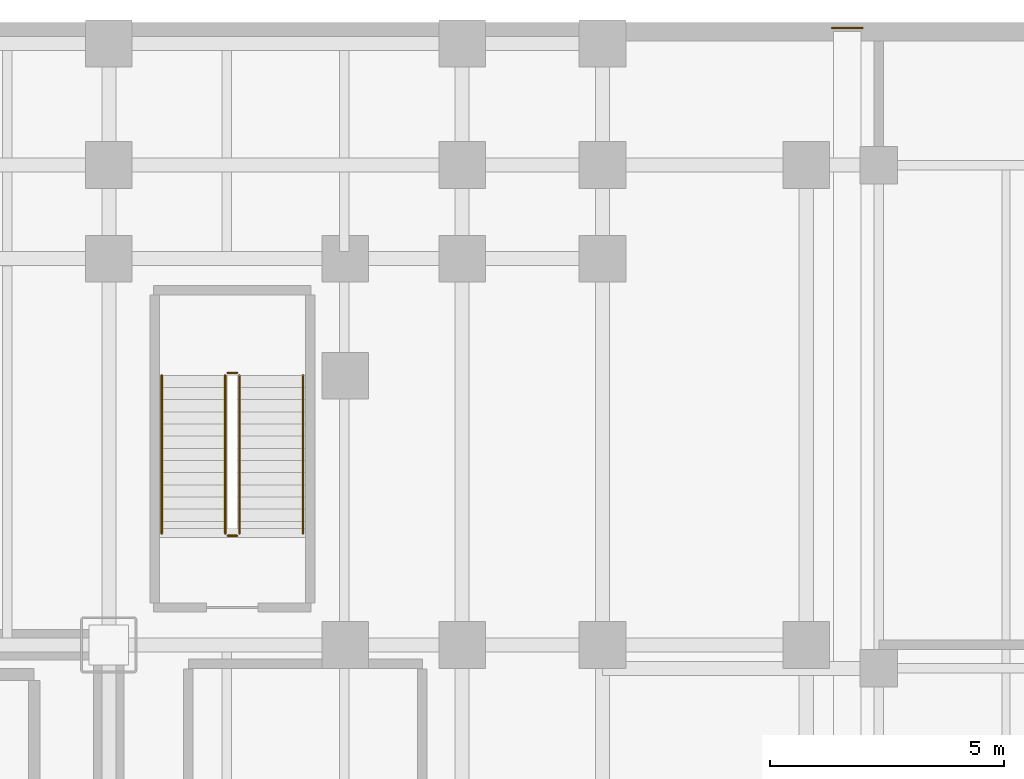
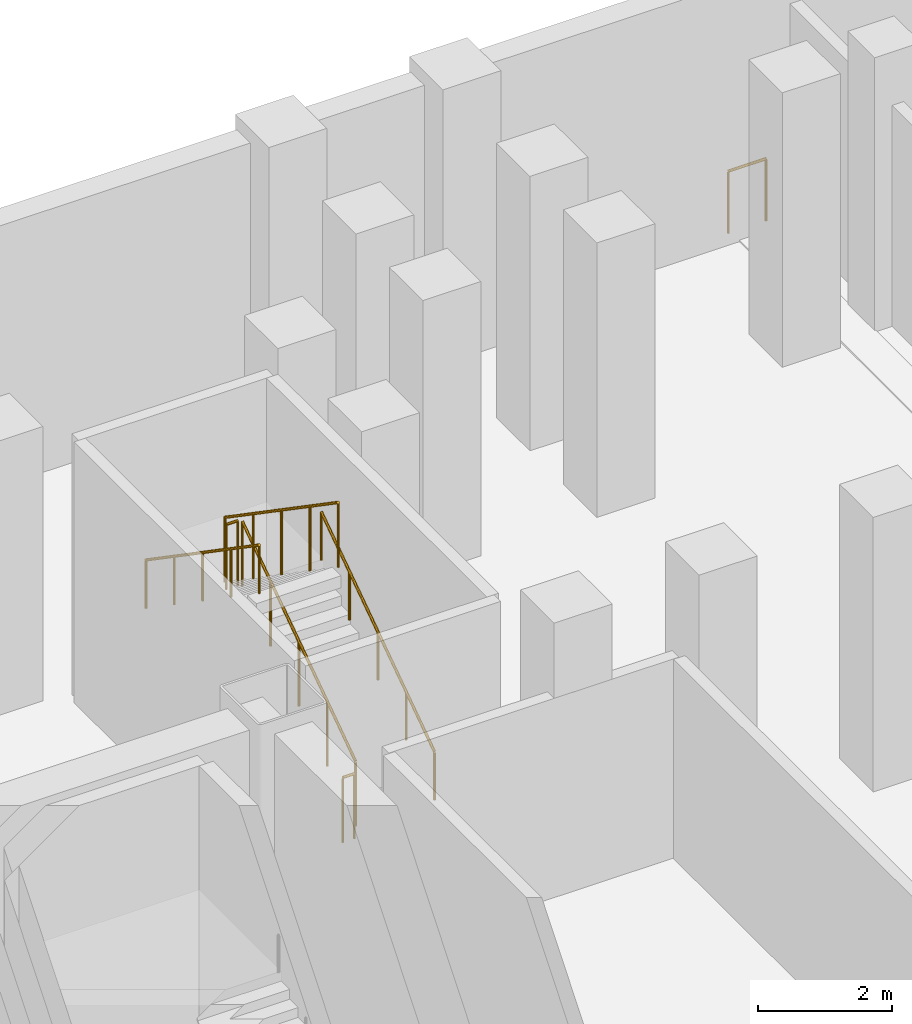
# One storey, part 17 of 18: 7 railings.
"""IFC4 building model written with IfcOpenShell, lengths in metres."""

from ifc_helpers import new_model, si_unit, direction, frame, origin, origin_2d, place, context, subcontext, project, spatial, circle, extrude, material, layer, layer_set, type_object, element, save


model = new_model("IFC4")

# Units and contexts
model_context = context("Model", 3, precision=1e-05, world=origin(), true_north=direction((0.0, 1.0)))
body_context = subcontext(model_context, "Body", "Model", "MODEL_VIEW")
ifc_project = project(units=[si_unit("LENGTHUNIT", "METRE"), si_unit("AREAUNIT", "SQUARE_METRE"), si_unit("VOLUMEUNIT", "CUBIC_METRE"), si_unit("PLANEANGLEUNIT", "RADIAN"), si_unit("MASSUNIT", "GRAM", prefix="KILO")], contexts=[model_context])

# Site, building, storey
site_placement = place(None, origin())
site = spatial("IfcSite", under=ifc_project, at=site_placement, CompositionType="ELEMENT")
building_placement = place(site_placement, origin())
building = spatial("IfcBuilding", under=site, at=building_placement, Name="Noeulbin Bourse Tower", CompositionType="ELEMENT")
storey_placement = place(building_placement, frame((0.0, 0.0, -5.0)))
storey = spatial("IfcBuildingStorey", under=building, at=storey_placement, Name="B01", CompositionType="ELEMENT", Elevation=-5.0)

# Railings
ifc_material_1 = material(Name="Galvanised Tubular Steel S355", Category="steel")
ifc_layer_1 = layer(ifc_material_1, 0.06005859375)
ifc_layer_set_1 = layer_set([ifc_layer_1], Name="Galvanised Tubular Steel S355")
railing_type_1 = type_object("IfcRailingType", Name="RLG-RMP-1100", PredefinedType="GUARDRAIL", material=ifc_layer_set_1)
railing_1_placement = place(storey_placement, frame((59.449951171875, 51.47998046875, 0.0)))
element("IfcRailing", 1, at=railing_1_placement, inside=storey, type_object=railing_type_1, Name="Seismic Joint Edge Guard B01-N", PredefinedType="GUARDRAIL", context=body_context, shape_type="SweptSolid", body=[
    extrude(circle(Radius=0.02392578125, at=origin_2d()), frame((0.0, 0.0, 1.1259765625), z_axis=(1.0, 0.0, 0.0), x_axis=(0.0, 1.0, 0.0)), (0.0, 0.0, 1.0), 0.650146484375),
    extrude(circle(Radius=0.02099609375, at=origin_2d()), origin(), (0.0, 0.0, 1.0), 1.101806640625),
    extrude(circle(Radius=0.02099609375, at=origin_2d()), frame((0.650146484375, 0.0, 0.0)), (0.0, 0.0, 1.0), 1.101806640625),
])
ifc_material_2 = material(Name="Painted Tubular Steel S355", Category="steel")
ifc_layer_2 = layer(ifc_material_2, 0.048095703125)
ifc_layer_set_2 = layer_set([ifc_layer_2], Name="Painted Tubular Steel S355")
railing_type_2 = type_object("IfcRailingType", Name="RLG-STR-GRD", PredefinedType="GUARDRAIL", material=ifc_layer_set_2)
railing_2_placement = place(storey_placement, frame((46.7900390625, 40.679931640625, 0.178466796875)))
element("IfcRailing", 2, at=railing_2_placement, inside=storey, type_object=railing_type_2, Name="B01 ST-S3 stair guard 1", PredefinedType="GUARDRAIL", context=body_context, shape_type="SweptSolid", body=[
    extrude(circle(Radius=0.02392578125, at=origin_2d()), frame((0.0, 0.0, 1.17578125), z_axis=(0.0, 0.824304150675, 0.566147213346), x_axis=(-1.0, 0.0, 0.0)), (0.0, 0.0, 1.0), 4.1005859375),
    extrude(circle(Radius=0.02099609375, at=origin_2d()), origin(), (0.0, 0.0, 1.0), 1.15185546875),
    extrude(circle(Radius=0.02099609375, at=origin_2d()), frame((0.0, 0.844970703125, 0.580322265625)), (0.0, 0.0, 1.0), 1.15185546875),
    extrude(circle(Radius=0.02099609375, at=origin_2d()), frame((0.0, 1.68994140625, 1.16064453125)), (0.0, 0.0, 1.0), 1.15185546875),
    extrude(circle(Radius=0.02099609375, at=origin_2d()), frame((0.0, 2.53515625, 1.7412109375)), (0.0, 0.0, 1.0), 1.15185546875),
    extrude(circle(Radius=0.02099609375, at=origin_2d()), frame((0.0, 3.380126953125, 2.321533203125)), (0.0, 0.0, 1.0), 1.15185546875),
])
railing_3_placement = place(storey_placement, frame((46.739990234375, 44.110107421875, 2.5)))
element("IfcRailing", 3, at=railing_3_placement, inside=storey, type_object=railing_type_2, Name="B01 ST-S3 stair guard 2", PredefinedType="GUARDRAIL", context=body_context, shape_type="SweptSolid", body=[
    extrude(circle(Radius=0.02392578125, at=origin_2d()), frame((0.0, 0.0, 1.17578125), z_axis=(-1.0, 0.0, 0.0), x_axis=(0.0, -1.0, 0.0)), (0.0, 0.0, 1.0), 0.199951171875),
    extrude(circle(Radius=0.02099609375, at=origin_2d()), origin(), (0.0, 0.0, 1.0), 1.15185546875),
    extrude(circle(Radius=0.02099609375, at=origin_2d()), frame((-0.199951171875, 0.0, 0.0)), (0.0, 0.0, 1.0), 1.15185546875),
])
railing_4_placement = place(storey_placement, frame((46.489990234375, 44.06005859375, 2.678466796875)))
element("IfcRailing", 4, at=railing_4_placement, inside=storey, type_object=railing_type_2, Name="B01 ST-S3 stair guard 3", PredefinedType="GUARDRAIL", context=body_context, shape_type="SweptSolid", body=[
    extrude(circle(Radius=0.02392578125, at=origin_2d()), frame((0.0, 0.0, 1.17578125), z_axis=(0.0, -0.824304150675, 0.566147213346), x_axis=(1.0, 0.0, 0.0)), (0.0, 0.0, 1.0), 4.1005859375),
    extrude(circle(Radius=0.02099609375, at=origin_2d()), origin(), (0.0, 0.0, 1.0), 1.15185546875),
    extrude(circle(Radius=0.02099609375, at=origin_2d()), frame((0.0, -0.844970703125, 0.580322265625)), (0.0, 0.0, 1.0), 1.15185546875),
    extrude(circle(Radius=0.02099609375, at=origin_2d()), frame((0.0, -1.68994140625, 1.16064453125)), (0.0, 0.0, 1.0), 1.15185546875),
    extrude(circle(Radius=0.02099609375, at=origin_2d()), frame((0.0, -2.53515625, 1.7412109375)), (0.0, 0.0, 1.0), 1.15185546875),
    extrude(circle(Radius=0.02099609375, at=origin_2d()), frame((0.0, -3.380126953125, 2.321533203125)), (0.0, 0.0, 1.0), 1.15185546875),
])
railing_5_placement = place(storey_placement, frame((46.739990234375, 40.6298828125, 0.0)))
element("IfcRailing", 5, at=railing_5_placement, inside=storey, type_object=railing_type_2, Name="B01 ST-S3 stair guard 4", PredefinedType="GUARDRAIL", context=body_context, shape_type="SweptSolid", body=[
    extrude(circle(Radius=0.02392578125, at=origin_2d()), frame((0.0, 0.0, 1.17578125), z_axis=(-1.0, 0.0, 0.0), x_axis=(0.0, -1.0, 0.0)), (0.0, 0.0, 1.0), 0.199951171875),
    extrude(circle(Radius=0.02099609375, at=origin_2d()), origin(), (0.0, 0.0, 1.0), 1.15185546875),
    extrude(circle(Radius=0.02099609375, at=origin_2d()), frame((-0.199951171875, 0.0, 0.0)), (0.0, 0.0, 1.0), 1.15185546875),
])
ifc_material_3 = material(Name="Brushed Stainless Steel 316", Category="steel")
ifc_layer_3 = layer(ifc_material_3, 0.048095703125)
ifc_layer_set_3 = layer_set([ifc_layer_3], Name="Brushed Stainless Steel 316")
railing_type_3 = type_object("IfcRailingType", Name="RLG-STR-HND", PredefinedType="HANDRAIL", material=ifc_layer_set_3)
railing_6_placement = place(storey_placement, frame((48.14990234375, 40.679931640625, 0.178466796875)))
element("IfcRailing", 6, at=railing_6_placement, inside=storey, type_object=railing_type_3, Name="B01 ST-S3 stair handrail 1", PredefinedType="HANDRAIL", context=body_context, shape_type="SweptSolid", body=[
    extrude(circle(Radius=0.02392578125, at=origin_2d()), frame((0.0, 0.0, 0.8759765625), z_axis=(0.0, 0.824304150675, 0.566147213346), x_axis=(-1.0, 0.0, 0.0)), (0.0, 0.0, 1.0), 4.1005859375),
    extrude(circle(Radius=0.02099609375, at=origin_2d()), origin(), (0.0, 0.0, 1.0), 0.851806640625),
    extrude(circle(Radius=0.02099609375, at=origin_2d()), frame((0.0, 0.844970703125, 0.580322265625)), (0.0, 0.0, 1.0), 0.851806640625),
    extrude(circle(Radius=0.02099609375, at=origin_2d()), frame((0.0, 1.68994140625, 1.16064453125)), (0.0, 0.0, 1.0), 0.851806640625),
    extrude(circle(Radius=0.02099609375, at=origin_2d()), frame((0.0, 2.53515625, 1.7412109375)), (0.0, 0.0, 1.0), 0.851806640625),
    extrude(circle(Radius=0.02099609375, at=origin_2d()), frame((0.0, 3.380126953125, 2.321533203125)), (0.0, 0.0, 1.0), 0.851806640625),
])
railing_7_placement = place(storey_placement, frame((45.1298828125, 44.06005859375, 2.678466796875)))
element("IfcRailing", 7, at=railing_7_placement, inside=storey, type_object=railing_type_3, Name="B01 ST-S3 stair handrail 2", PredefinedType="HANDRAIL", context=body_context, shape_type="SweptSolid", body=[
    extrude(circle(Radius=0.02392578125, at=origin_2d()), frame((0.0, 0.0, 0.8759765625), z_axis=(0.0, -0.824304150675, 0.566147213346), x_axis=(1.0, 0.0, 0.0)), (0.0, 0.0, 1.0), 4.1005859375),
    extrude(circle(Radius=0.02099609375, at=origin_2d()), origin(), (0.0, 0.0, 1.0), 0.851806640625),
    extrude(circle(Radius=0.02099609375, at=origin_2d()), frame((0.0, -0.844970703125, 0.580322265625)), (0.0, 0.0, 1.0), 0.851806640625),
    extrude(circle(Radius=0.02099609375, at=origin_2d()), frame((0.0, -1.68994140625, 1.16064453125)), (0.0, 0.0, 1.0), 0.851806640625),
    extrude(circle(Radius=0.02099609375, at=origin_2d()), frame((0.0, -2.53515625, 1.7412109375)), (0.0, 0.0, 1.0), 0.851806640625),
    extrude(circle(Radius=0.02099609375, at=origin_2d()), frame((0.0, -3.380126953125, 2.321533203125)), (0.0, 0.0, 1.0), 0.851806640625),
])

save(model, "model.ifc")
